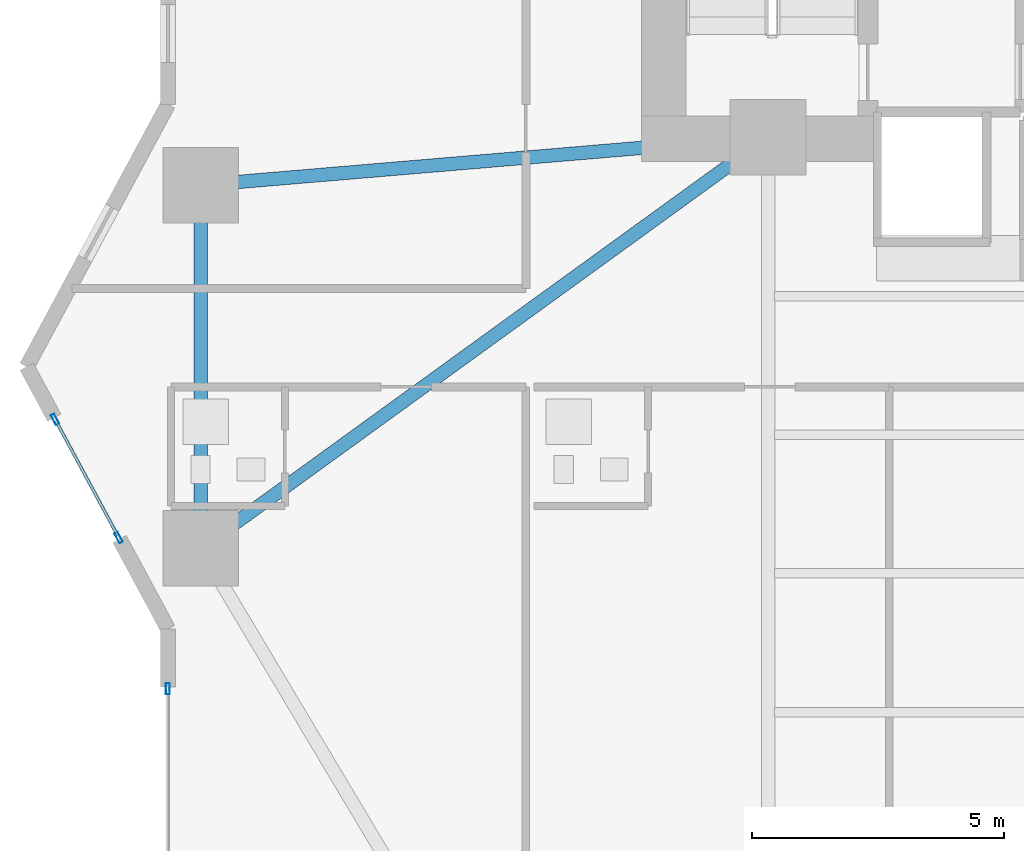
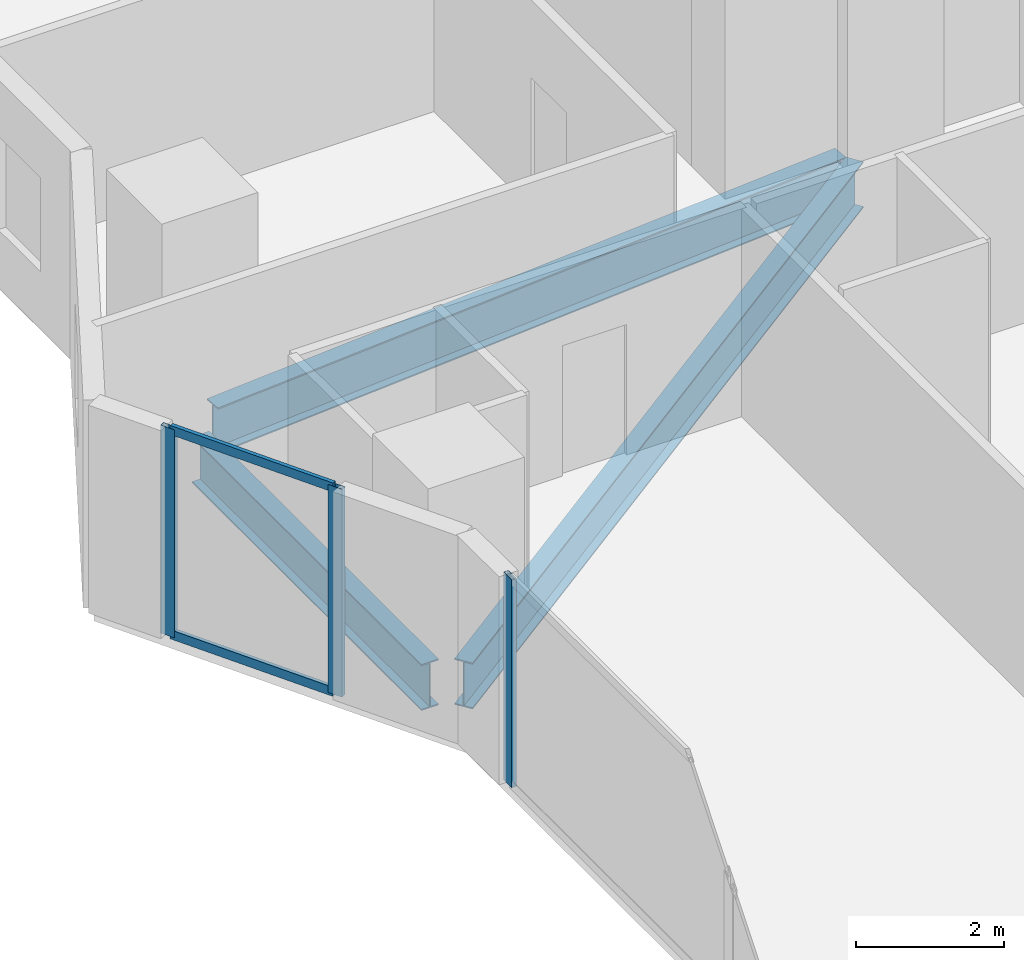
# One storey, part 6 of 28: 5 members, 3 beams, 2 elements without a shape of their own.
"""IFC4 building model written with IfcOpenShell, lengths in metres."""

from ifc_helpers import new_model, si_unit, direction, frame, origin, origin_2d, place, context, subcontext, project, spatial, hollow_rectangle, i_section, extrude, material, layer, layer_set, material_profile, profile_set, type_object, element, aggregate, save


model = new_model("IFC4")

# Units and contexts
model_context = context("Model", 3, precision=1e-05, world=origin(), true_north=direction((0.0, 1.0)))
body_context = subcontext(model_context, "Body", "Model", "MODEL_VIEW")
ifc_project = project(units=[si_unit("LENGTHUNIT", "METRE"), si_unit("AREAUNIT", "SQUARE_METRE"), si_unit("VOLUMEUNIT", "CUBIC_METRE"), si_unit("PLANEANGLEUNIT", "RADIAN"), si_unit("MASSUNIT", "GRAM", prefix="KILO")], contexts=[model_context])

# Site, building, storey
site_placement = place(None, origin())
site = spatial("IfcSite", under=ifc_project, at=site_placement, CompositionType="ELEMENT")
building_placement = place(site_placement, origin())
building = spatial("IfcBuilding", under=site, at=building_placement, Name="Zuhayl Quay Hotel", CompositionType="ELEMENT")
storey_placement = place(building_placement, frame((0.0, 0.0, 71.39990234375)))
storey = spatial("IfcBuildingStorey", under=building, at=storey_placement, Name="L17", CompositionType="ELEMENT", Elevation=71.39990234375)

# Beams
ifc_material_1 = material(Name="Steel ASTM A992 Grade 50", Category="steel")
ifc_material_profile_1 = material_profile(ifc_material_1, i_section(OverallWidth=0.26708984375, OverallDepth=0.761962890625, WebThickness=0.014404296875, FlangeThickness=0.021484375, at=origin_2d()), Name="W30X116")
ifc_profile_set_1 = profile_set([ifc_material_profile_1], Name="Steel ASTM A992 Grade 50")
beam_type = type_object("IfcBeamType", Name="BM_B1_W30X116", PredefinedType="BEAM", material=ifc_profile_set_1)
beam_1_placement = place(storey_placement, frame((-25.050048828125, 3.10009765625, -0.600830078125), z_axis=(0.0, -1.0, 0.0), x_axis=(1.0, 0.0, 0.0)))
element("IfcBeam", 1, at=beam_1_placement, inside=storey, type_object=beam_type, Name="L17 Floor Beam RG_L17_11", PredefinedType="BEAM", context=body_context, shape_type="SweptSolid", body=[
    extrude(i_section(OverallWidth=0.26708984375, OverallDepth=0.761962890625, WebThickness=0.014404296875, FlangeThickness=0.021484375, at=origin_2d()), origin(), (0.0, 0.0, 1.0), 6.2001953125),
])
beam_2_placement = place(storey_placement, frame((-24.64501953125, -3.306640625, -0.600830078125), z_axis=(0.809830244688, 0.586664277751, 0.0), x_axis=(-0.586664277751, 0.809830244688, 0.0)))
element("IfcBeam", 2, at=beam_2_placement, inside=storey, type_object=beam_type, Name="L17 Floor Beam FG_W_L17_1", PredefinedType="BEAM", context=body_context, shape_type="SweptSolid", body=[
    extrude(i_section(OverallWidth=0.26708984375, OverallDepth=0.761962890625, WebThickness=0.014404296875, FlangeThickness=0.021484375, at=origin_2d()), origin(), (0.0, 0.0, 1.0), 12.94189453125),
])
beam_3_placement = place(storey_placement, frame((-24.5517578125, 3.64208984375, -0.600830078125), z_axis=(0.996453145398, 0.084149444594, 0.0), x_axis=(-0.084149444594, 0.996453145398, 0.0)))
element("IfcBeam", 3, at=beam_3_placement, inside=storey, type_object=beam_type, Name="L17 Floor Beam FG_W_L17_2", PredefinedType="BEAM", context=body_context, shape_type="SweptSolid", body=[
    extrude(i_section(OverallWidth=0.26708984375, OverallDepth=0.761962890625, WebThickness=0.014404296875, FlangeThickness=0.021484375, at=origin_2d()), origin(), (0.0, 0.0, 1.0), 10.340087890625),
])

# Curtain wall, member
ifc_material_2 = material(Name="Anodised Aluminium 6063-T6", Category="aluminium")
ifc_layer = layer(ifc_material_2, 0.18994140625, Name="Anodised Aluminium 6063-T6", Category="aluminium")
ifc_layer_set = layer_set([ifc_layer], Name="Anodised Aluminium 6063-T6")
curtain_wall_type = type_object("IfcCurtainWallType", Name="CW_SYS_Z1", PredefinedType="USERDEFINED", material=ifc_layer_set)
curtain_wall_1_placement = place(storey_placement, origin())
curtain_wall_1 = element("IfcCurtainWall", 4, at=curtain_wall_1_placement, inside=storey, type_object=curtain_wall_type, Name="L17 Curtain Wall ENV_L17_E02_CW1", ObjectType="UNITISED CURTAIN WALL", PredefinedType="USERDEFINED")
ifc_material_3 = material(Name="Black-anodised aluminium 6063-T6", Category="aluminium")
ifc_material_profile_2 = material_profile(ifc_material_3, hollow_rectangle(XDim=0.074951171875, YDim=0.219970703125, WallThickness=0.00390625, at=origin_2d()), Name="ALU220X75")
ifc_profile_set_2 = profile_set([ifc_material_profile_2], Name="Black-anodised aluminium 6063-T6")
member_type_1 = type_object("IfcMemberType", Name="MB_CW_MUL_220", PredefinedType="MULLION", material=ifc_profile_set_2)
member_1_placement = place(storey_placement, frame((-25.699951171875, -6.387451171875, 0.0), z_axis=(0.0, 0.0, 1.0), x_axis=(-1.0, 0.0, 0.0)))
member_1 = element("IfcMember", 5, at=member_1_placement, type_object=member_type_1, Name="CW-Z1 mullion 3", PredefinedType="MULLION", context=body_context, shape_type="SweptSolid", body=[
    extrude(hollow_rectangle(XDim=0.074951171875, YDim=0.219970703125, WallThickness=0.00390625, at=origin_2d()), origin(), (0.0, 0.0, 1.0), 3.43017578125),
])
aggregate(curtain_wall_1, [member_1])

# Curtain wall, members
curtain_wall_2_placement = place(storey_placement, origin())
curtain_wall_2 = element("IfcCurtainWall", 6, at=curtain_wall_2_placement, inside=storey, type_object=curtain_wall_type, Name="L17 Curtain Wall ENV_L17_E03_CW1", ObjectType="UNITISED CURTAIN WALL", PredefinedType="USERDEFINED")
member_2_placement = place(storey_placement, frame((-26.67578125, -3.387939453125, 0.0), z_axis=(0.0, 0.0, 1.0), x_axis=(-0.880475795468, -0.474091102632, 0.0)))
member_2 = element("IfcMember", 7, at=member_2_placement, type_object=member_type_1, Name="CW-Z1 mullion 1", PredefinedType="MULLION", context=body_context, shape_type="SweptSolid", body=[
    extrude(hollow_rectangle(XDim=0.074951171875, YDim=0.219970703125, WallThickness=0.00390625, at=origin_2d()), origin(), (0.0, 0.0, 1.0), 3.43017578125),
])
member_3_placement = place(storey_placement, frame((-27.93701171875, -1.04541015625, 0.0), z_axis=(0.0, 0.0, 1.0), x_axis=(-0.880475795468, -0.474091102632, 0.0)))
member_3 = element("IfcMember", 8, at=member_3_placement, type_object=member_type_1, Name="CW-Z1 mullion 2", PredefinedType="MULLION", context=body_context, shape_type="SweptSolid", body=[
    extrude(hollow_rectangle(XDim=0.074951171875, YDim=0.219970703125, WallThickness=0.00390625, at=origin_2d()), origin(), (0.0, 0.0, 1.0), 3.43017578125),
])
ifc_material_profile_3 = material_profile(ifc_material_3, hollow_rectangle(XDim=0.06005859375, YDim=0.14990234375, WallThickness=0.00341796875, at=origin_2d()), Name="ALU150X60")
ifc_profile_set_3 = profile_set([ifc_material_profile_3], Name="Black-anodised aluminium 6063-T6")
member_type_2 = type_object("IfcMemberType", Name="MB_CW_TRN_150", PredefinedType="USERDEFINED", material=ifc_profile_set_3)
member_4_placement = place(storey_placement, frame((-26.693603515625, -3.35498046875, 0.030029296875), z_axis=(-0.474054771703, 0.880495356845, 0.0), x_axis=(-0.880495356845, -0.474054771703, 0.0)))
member_4 = element("IfcMember", 9, at=member_4_placement, type_object=member_type_2, Name="CW-Z1 transom 1.1", ObjectType="TRANSOM", PredefinedType="USERDEFINED", context=body_context, shape_type="SweptSolid", body=[
    extrude(hollow_rectangle(XDim=0.06005859375, YDim=0.14990234375, WallThickness=0.00341796875, at=origin_2d()), origin(), (0.0, 0.0, 1.0), 2.585205078125),
])
member_5_placement = place(storey_placement, frame((-26.693603515625, -3.35498046875, 3.400146484375), z_axis=(-0.474054771703, 0.880495356845, 0.0), x_axis=(-0.880495356845, -0.474054771703, 0.0)))
member_5 = element("IfcMember", 10, at=member_5_placement, type_object=member_type_2, Name="CW-Z1 transom 1.2", ObjectType="TRANSOM", PredefinedType="USERDEFINED", context=body_context, shape_type="SweptSolid", body=[
    extrude(hollow_rectangle(XDim=0.06005859375, YDim=0.14990234375, WallThickness=0.00341796875, at=origin_2d()), origin(), (0.0, 0.0, 1.0), 2.585205078125),
])
aggregate(curtain_wall_2, [member_2, member_3, member_4, member_5])

save(model, "model.ifc")
